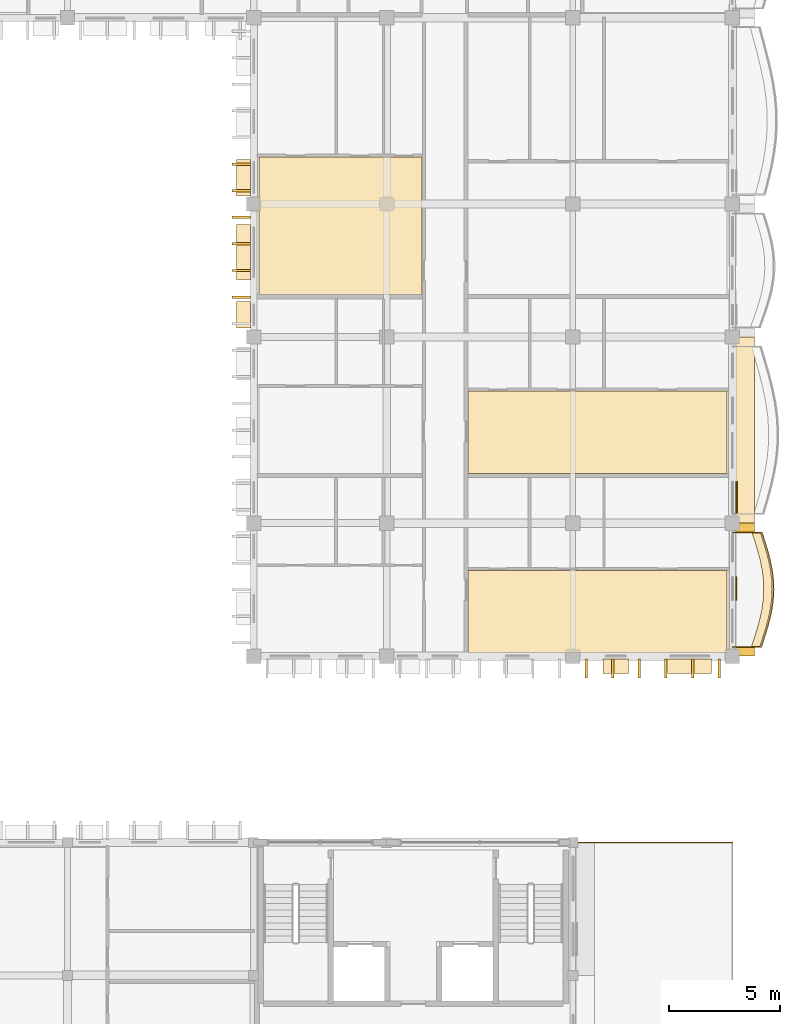
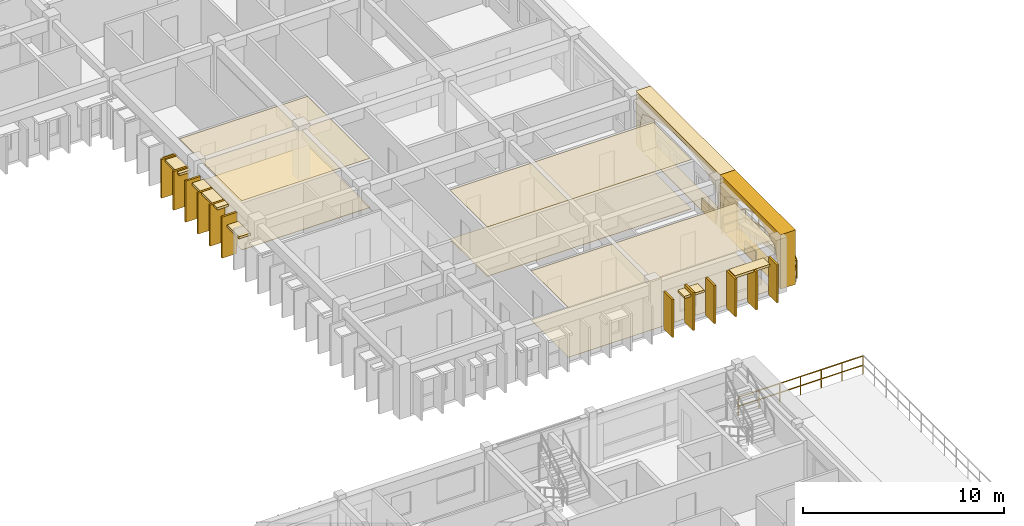
# One storey, part 61 of 66: 28 coverings, 2 railings.
"""IFC4 building model written with IfcOpenShell, lengths in metres."""

import ifcopenshell
import ifcopenshell.guid

model = None  # the IFC model being written
_history = None  # IfcOwnerHistory: only IFC2X3 demands one
_inside = {}  # id of a spatial element -> (the spatial element, [elements in it])
_under = {}  # id of a project, library or spatial element -> (it, [spatial elements below it])
_declared = {}  # id of a project -> (the project, [libraries it declares])
_typed = {}  # id of a type object -> (the type object, [elements of that type])
_made_of = {}  # id of a material, layer set ... -> (it, [elements and type objects made of it])


def new_model(schema):
    """Start an empty IFC model of exactly this schema.

    Asked for "IFC4X3", IfcOpenShell would pick the latest addendum, in which some entities
    have other attributes; the version numbers below select the first issue.
    IFC2X3 requires an IfcOwnerHistory on every rooted entity: one is made here for all.
    """
    global model, _history
    if schema == "IFC4X3":
        model = ifcopenshell.file(schema_version=(4, 3, 0, 0))
    else:
        model = ifcopenshell.file(schema=schema)
    _inside.clear()
    _under.clear()
    _declared.clear()
    _typed.clear()
    _made_of.clear()
    _history = None
    if model.schema == "IFC2X3":
        org = make("IfcOrganization", Name="unknown")
        user = make(
            "IfcPersonAndOrganization",
            ThePerson=make("IfcPerson", FamilyName="unknown"),
            TheOrganization=org,
        )
        app = make(
            "IfcApplication",
            ApplicationDeveloper=org,
            Version="unknown",
            ApplicationFullName="unknown",
            ApplicationIdentifier="unknown",
        )
        _history = make(
            "IfcOwnerHistory",
            OwningUser=user,
            OwningApplication=app,
            ChangeAction="ADDED",
            CreationDate=0,
        )
    return model


def make(cls, **values):
    """One entity of the class cls with the attributes given. An attribute that is None is left unset."""
    return model.create_entity(
        cls, **{name: value for name, value in values.items() if value is not None}
    )


def rooted(cls, **values):
    """An entity with a GlobalId (a new one), such as an element, a storey or a relation."""
    return make(cls, GlobalId=ifcopenshell.guid.new(), OwnerHistory=_history, **values)


def si_unit(unit_type, name, prefix=None):
    """IfcSIUnit, for example si_unit("LENGTHUNIT", "METRE", prefix="MILLI")."""
    return make("IfcSIUnit", UnitType=unit_type, Prefix=prefix, Name=name)


def assignment(units):
    """IfcUnitAssignment: the units of a project."""
    return None if units is None else make("IfcUnitAssignment", Units=units)


def point(xyz):
    """IfcCartesianPoint."""
    return None if xyz is None else make("IfcCartesianPoint", Coordinates=xyz)


def direction(xyz):
    """IfcDirection."""
    return None if xyz is None else make("IfcDirection", DirectionRatios=xyz)


def frame(location, z_axis=None, x_axis=None):
    """IfcAxis2Placement3D, a coordinate frame: its origin and axes. An axis left out is left unset."""
    return make(
        "IfcAxis2Placement3D",
        Location=point(location),
        Axis=direction(z_axis),
        RefDirection=direction(x_axis),
    )


def frame_2d(location, x_axis=None):
    """IfcAxis2Placement2D, a coordinate frame in the plane: its origin and x axis."""
    return make(
        "IfcAxis2Placement2D", Location=point(location), RefDirection=direction(x_axis)
    )


def origin():
    """The frame at (0, 0, 0) with its axes left unset."""
    return frame((0.0, 0.0, 0.0))


def origin_2d():
    """The frame at (0, 0) in the plane with its x axis left unset."""
    return frame_2d((0.0, 0.0))


def place(relative_to, where):
    """IfcLocalPlacement: puts the frame where relative to a parent placement (None: the world)."""
    return make(
        "IfcLocalPlacement", PlacementRelTo=relative_to, RelativePlacement=where
    )


def context(
    kind, dimensions, precision=None, world=None, true_north=None, identifier=None
):
    """IfcGeometricRepresentationContext, for example the 3D "Model" context."""
    return make(
        "IfcGeometricRepresentationContext",
        ContextIdentifier=identifier,
        ContextType=kind,
        CoordinateSpaceDimension=dimensions,
        Precision=precision,
        WorldCoordinateSystem=world,
        TrueNorth=true_north,
    )


def subcontext(parent, identifier, kind, view, scale=None):
    """IfcGeometricRepresentationSubContext, for example "Body" below "Model"."""
    return make(
        "IfcGeometricRepresentationSubContext",
        ContextIdentifier=identifier,
        ContextType=kind,
        ParentContext=parent,
        TargetScale=scale,
        TargetView=view,
    )


def project(units=None, contexts=None):
    """IfcProject with its units and contexts."""
    return rooted(
        "IfcProject",
        Name="project",
        RepresentationContexts=contexts,
        UnitsInContext=assignment(units),
    )


def spatial(cls, under=None, at=None, **own):
    """A site, building, storey or space (cls), placed at a placement, below another one or the project."""
    s = rooted(cls, ObjectPlacement=at, **own)
    if under is not None:
        _under.setdefault(under.id(), (under, []))[1].append(s)
    return s


def polyline(points):
    """IfcPolyline through the points."""
    return make("IfcPolyline", Points=[point(p) for p in points])


def profile(cls, at=None, kind="AREA", **sizes):
    """A parametric profile (cls). Its sizes go by their IFC names, for example OverallWidth=200.0."""
    return make(cls, ProfileType=kind, Position=at, **sizes)


def rectangle(**sizes):
    """IfcRectangleProfileDef."""
    return profile("IfcRectangleProfileDef", **sizes)


def outline(outer, holes=None, kind="AREA"):
    """IfcArbitraryClosedProfileDef: a profile drawn as a closed curve; with holes, ...WithVoids."""
    if holes is None:
        return make("IfcArbitraryClosedProfileDef", ProfileType=kind, OuterCurve=outer)
    return make(
        "IfcArbitraryProfileDefWithVoids",
        ProfileType=kind,
        OuterCurve=outer,
        InnerCurves=holes,
    )


def extrude(swept, where, along, depth):
    """IfcExtrudedAreaSolid: the profile swept, set in the frame where, extruded along a direction by depth."""
    return make(
        "IfcExtrudedAreaSolid",
        SweptArea=swept,
        Position=where,
        ExtrudedDirection=direction(along),
        Depth=depth,
    )


def shape(context_of_items, identifier, shape_type, items):
    """IfcShapeRepresentation: the items that make up one representation, for example the "Body"."""
    return make(
        "IfcShapeRepresentation",
        ContextOfItems=context_of_items,
        RepresentationIdentifier=identifier,
        RepresentationType=shape_type,
        Items=items,
    )


def material(Name=None, Category=None):
    """IfcMaterial."""
    return make("IfcMaterial", Name=Name, Category=Category)


def layer(
    of_material, thickness, ventilated=None, Name=None, Category=None, Priority=None
):
    """IfcMaterialLayer: one layer of a wall or slab, of a material (None: an air gap)."""
    return make(
        "IfcMaterialLayer",
        Material=of_material,
        LayerThickness=thickness,
        IsVentilated=ventilated,
        Name=Name,
        Category=Category,
        Priority=Priority,
    )


def layer_set(layers, Name=None):
    """IfcMaterialLayerSet."""
    return make("IfcMaterialLayerSet", MaterialLayers=layers, LayerSetName=Name)


def made_of(thing, what):
    """Note that an element or type object is made of a material, layer set ...; save() writes the relation."""
    if what is not None:
        _made_of.setdefault(what.id(), (what, []))[1].append(thing)
    return thing


def type_object(cls, material=None, **own):
    """A type object (cls), such as IfcWallType, which elements share."""
    return made_of(rooted(cls, **own), material)


def element(
    cls,
    number,
    at=None,
    inside=None,
    cuts=None,
    type_object=None,
    material=None,
    context=None,
    identifier="Body",
    shape_type=None,
    held_by="IfcProductDefinitionShape",
    body=None,
    shapes=None,
    **own,
):
    """One element of the class cls, such as IfcWall. Its Tag is "e" and its number.

    at: its placement. inside: the storey or other place that contains it. cuts: it is an
    opening in that element (IfcRelVoidsElement). A single representation is given by context,
    identifier, shape_type and body (its items); several are given by shapes. held_by: the class
    of the entity that holds the representations. save() writes the other relations.
    """
    e = rooted(cls, Tag="e%d" % number, ObjectPlacement=at, **own)
    if body is not None:
        shapes = [shape(context, identifier, shape_type, body)]
    if shapes is not None:
        e.Representation = make(held_by, Representations=shapes)
    if inside is not None:
        _inside.setdefault(inside.id(), (inside, []))[1].append(e)
    if cuts is not None:
        rooted(
            "IfcRelVoidsElement", RelatingBuildingElement=cuts, RelatedOpeningElement=e
        )
    if type_object is not None:
        _typed.setdefault(type_object.id(), (type_object, []))[1].append(e)
    return made_of(e, material)


def aggregate(whole, parts):
    """IfcRelAggregates: a whole, such as a stair, and the parts it consists of."""
    return rooted("IfcRelAggregates", RelatingObject=whole, RelatedObjects=parts)


def save(model, path):
    """Write the relations noted so far, then the file.

    IfcRelAggregates (storeys below a building ...), IfcRelContainedInSpatialStructure (elements
    in a storey), IfcRelDefinesByType, IfcRelAssociatesMaterial and IfcRelDeclares: one each for
    every whole, place, type object, material and project.
    """
    for whole, parts in _under.values():
        aggregate(whole, parts)
    for where, things in _inside.values():
        rooted(
            "IfcRelContainedInSpatialStructure",
            RelatedElements=things,
            RelatingStructure=where,
        )
    for kind, things in _typed.values():
        rooted("IfcRelDefinesByType", RelatedObjects=things, RelatingType=kind)
    for what, things in _made_of.values():
        rooted("IfcRelAssociatesMaterial", RelatedObjects=things, RelatingMaterial=what)
    for by, libraries in _declared.values():
        rooted("IfcRelDeclares", RelatingContext=by, RelatedDefinitions=libraries)
    model.write(path)


model = new_model("IFC4")

# Units and contexts
model_context = context("Model", 3, precision=1e-05, world=origin(), true_north=direction((0.0, 1.0)))
body_context = subcontext(model_context, "Body", "Model", "MODEL_VIEW")
ifc_project = project(units=[si_unit("LENGTHUNIT", "METRE"), si_unit("AREAUNIT", "SQUARE_METRE"), si_unit("VOLUMEUNIT", "CUBIC_METRE"), si_unit("PLANEANGLEUNIT", "RADIAN"), si_unit("MASSUNIT", "GRAM", prefix="KILO"), si_unit("THERMODYNAMICTEMPERATUREUNIT", "KELVIN")], contexts=[model_context])

# Site, building, storey
site_placement = place(None, origin())
site = spatial("IfcSite", under=ifc_project, at=site_placement, CompositionType="ELEMENT")
building_placement = place(site_placement, origin())
building = spatial("IfcBuilding", under=site, at=building_placement, Name="Thalorik Housing Commons", CompositionType="ELEMENT")
storey_placement = place(building_placement, frame((0.0, 0.0, 21.300048828125)))
storey = spatial("IfcBuildingStorey", under=building, at=storey_placement, Name="L06", CompositionType="ELEMENT", Elevation=21.300048828125)

# Coverings
ifc_material_1 = material(Name="Cobalt blue glazed ceramic facade tile panel", Category="masonry")
ifc_layer_1 = layer(ifc_material_1, 0.06005859375, Name="Cobalt blue glazed ceramic facade tile panel", Category="masonry")
ifc_layer_set_1 = layer_set([ifc_layer_1], Name="Cobalt blue glazed ceramic facade tile panel")
covering_type_1 = type_object("IfcCoveringType", Name="ARC-CLD-BLU-60", PredefinedType="CLADDING", material=ifc_layer_set_1)
covering_1_placement = place(storey_placement, frame((174.172607421875, 83.45654296875, 0.0498046875), z_axis=(0.0, 0.0, 1.0), x_axis=(0.0, 1.0, 0.0)))
element("IfcCovering", 1, at=covering_1_placement, inside=storey, type_object=covering_type_1, Name="L06 De Stijl Recessed Window Spandrel 2548", PredefinedType="CLADDING", context=body_context, shape_type="SweptSolid", body=[
    extrude(rectangle(XDim=1.050048828125, YDim=0.06005859375, at=origin_2d()), origin(), (0.0, 0.0, 1.0), 0.699951171875),
])
ifc_material_2 = material(Name="Precast concrete C40/50", Category="concrete")
ifc_layer_2 = layer(ifc_material_2, 0.85009765625, Name="Precast concrete C40/50", Category="concrete")
ifc_layer_set_2 = layer_set([ifc_layer_2], Name="Precast concrete C40/50")
covering_type_2 = type_object("IfcCoveringType", Name="ARC-CLD-CUSH-850", PredefinedType="CLADDING", material=ifc_layer_set_2)
covering_2_placement = place(storey_placement, frame((174.5625, 83.39990234375, 0.0), z_axis=(0.0, 0.0, 1.0), x_axis=(0.0, 1.0, 0.0)))
element("IfcCovering", 2, at=covering_2_placement, inside=storey, type_object=covering_type_2, Name="L06 White Precast Curved Cushion Bay Frame 2547", PredefinedType="CLADDING", context=body_context, shape_type="SweptSolid", body=[
    extrude(outline(polyline([(-3.0, 0.0), (3.0, 0.0), (3.0, 3.300048828125), (-3.0, 3.300048828125), (-3.0, 0.0)]), holes=[polyline([(2.551513671875, 0.02490234375), (2.646240234375, 0.394287109375), (2.703125, 0.76318359375), (2.721923828125, 1.132568359375), (2.703125, 1.501708984375), (2.646240234375, 1.870849609375), (2.551513671875, 2.239990234375), (2.136474609375, 2.4833984375), (1.72119140625, 2.6748046875), (1.30615234375, 2.82958984375), (0.89111328125, 2.94482421875), (0.475830078125, 3.01611328125), (0.060791015625, 3.0400390625), (-0.354248046875, 3.01611328125), (-0.76953125, 2.94482421875), (-1.1845703125, 2.82958984375), (-1.599609375, 2.6748046875), (-2.014892578125, 2.4833984375), (-2.429931640625, 2.239990234375), (-2.55029296875, 1.870849609375), (-2.62255859375, 1.501708984375), (-2.646484375, 1.132568359375), (-2.62255859375, 0.76318359375), (-2.55029296875, 0.394287109375), (-2.429931640625, 0.02490234375), (2.551513671875, 0.02490234375)])]), frame((0.0, 0.425048828125, 0.0), z_axis=(0.0, -1.0, 0.0), x_axis=(1.0, 0.0, 0.0)), (0.0, 0.0, 1.0), 0.85009765625),
])
covering_3_placement = place(storey_placement, frame((174.5625, 90.60009765625, 0.0), z_axis=(0.0, 0.0, 1.0), x_axis=(0.0, 1.0, 0.0)))
element("IfcCovering", 3, at=covering_3_placement, inside=storey, type_object=covering_type_2, Name="L06 White Precast Curved Cushion Bay Frame 2549", PredefinedType="CLADDING", context=body_context, shape_type="SweptSolid", body=[
    extrude(outline(polyline([(-4.199951171875, 0.0), (4.199951171875, 0.0), (4.199951171875, 3.300048828125), (-4.199951171875, 3.300048828125), (-4.199951171875, 0.0)]), holes=[polyline([(3.519287109375, 0.02490234375), (3.662841796875, 0.404296875), (3.749267578125, 0.783203125), (3.77783203125, 1.16259765625), (3.749267578125, 1.541748046875), (3.662841796875, 1.9208984375), (3.519287109375, 2.300048828125), (2.911865234375, 2.525390625), (2.30419921875, 2.7021484375), (1.697021484375, 2.845458984375), (1.089599609375, 2.951904296875), (0.48193359375, 3.017822265625), (-0.12548828125, 3.0400390625), (-0.73291015625, 3.017822265625), (-1.34033203125, 2.951904296875), (-1.94775390625, 2.845458984375), (-2.55517578125, 2.7021484375), (-3.16259765625, 2.525390625), (-3.77001953125, 2.300048828125), (-3.86083984375, 1.9208984375), (-3.915283203125, 1.541748046875), (-3.933349609375, 1.16259765625), (-3.915283203125, 0.783203125), (-3.86083984375, 0.404296875), (-3.77001953125, 0.02490234375), (3.519287109375, 0.02490234375)])]), frame((0.0, 0.425048828125, 0.0), z_axis=(0.0, -1.0, 0.0), x_axis=(1.0, 0.0, 0.0)), (0.0, 0.0, 1.0), 0.85009765625),
])
ifc_layer_3 = layer(ifc_material_2, 0.85009765625, Name="Precast concrete C40/50", Category="concrete")
ifc_layer_set_3 = layer_set([ifc_layer_3], Name="Precast concrete C40/50")
covering_type_3 = type_object("IfcCoveringType", Name="ARC-CLD-FIN-850", PredefinedType="CLADDING", material=ifc_layer_set_3)
for number, where, z_axis, x_axis, name in (
    (4, (151.83740234375, 102.60009765625, 0.0400390625), (0.0, 0.0, 1.0), (0.0, -1.0, 0.0), "L06 Courtyard Precast Vertical Brise-Soleil Fin 2493"),
    (5, (151.83740234375, 101.39990234375, 0.0400390625), (0.0, 0.0, 1.0), (0.0, -1.0, 0.0), "L06 Courtyard Precast Vertical Brise-Soleil Fin 2494"),
):
    element("IfcCovering", number, at=place(storey_placement, frame(where, z_axis=z_axis, x_axis=x_axis)), inside=storey, type_object=covering_type_3, Name=name, PredefinedType="CLADDING", context=body_context, shape_type="SweptSolid", body=[
        extrude(rectangle(XDim=0.110107421875, YDim=0.85009765625, at=origin_2d()), origin(), (0.0, 0.0, 1.0), 2.344970703125),
    ])
for number, where, z_axis, x_axis, name in (
    (6, (151.83740234375, 100.199951171875, 0.039794921875), (0.0, 0.0, 1.0), (0.0, -1.0, 0.0), "L06 Courtyard Precast Vertical Brise-Soleil Fin 2498"),
    (7, (151.83740234375, 99.0, 0.039794921875), (0.0, 0.0, 1.0), (0.0, -1.0, 0.0), "L06 Courtyard Precast Vertical Brise-Soleil Fin 2499"),
    (8, (151.83740234375, 97.800048828125, 0.039794921875), (0.0, 0.0, 1.0), (0.0, -1.0, 0.0), "L06 Courtyard Precast Vertical Brise-Soleil Fin 2500"),
    (9, (151.83740234375, 96.60009765625, 0.039794921875), (0.0, 0.0, 1.0), (0.0, -1.0, 0.0), "L06 Courtyard Precast Vertical Brise-Soleil Fin 2501"),
):
    element("IfcCovering", number, at=place(storey_placement, frame(where, z_axis=z_axis, x_axis=x_axis)), inside=storey, type_object=covering_type_3, Name=name, PredefinedType="CLADDING", context=body_context, shape_type="SweptSolid", body=[
        extrude(rectangle(XDim=0.110107421875, YDim=0.85009765625, at=origin_2d()), origin(), (0.0, 0.0, 1.0), 2.4951171875),
    ])
for number, where, z_axis, x_axis, name in (
    (10, (167.39990234375, 79.83740234375, 0.0400390625), (0.0, 0.0, 1.0), (1.0, 0.0, 0.0), "L06 Courtyard Precast Vertical Brise-Soleil Fin 2539"),
    (11, (168.60009765625, 79.83740234375, 0.0400390625), (0.0, 0.0, 1.0), (1.0, 0.0, 0.0), "L06 Courtyard Precast Vertical Brise-Soleil Fin 2540"),
    (12, (169.800048828125, 79.83740234375, 0.0400390625), (0.0, 0.0, 1.0), (1.0, 0.0, 0.0), "L06 Courtyard Precast Vertical Brise-Soleil Fin 2541"),
    (13, (171.0, 79.83740234375, 0.0400390625), (0.0, 0.0, 1.0), (1.0, 0.0, 0.0), "L06 Courtyard Precast Vertical Brise-Soleil Fin 2542"),
    (14, (172.199951171875, 79.83740234375, 0.0400390625), (0.0, 0.0, 1.0), (1.0, 0.0, 0.0), "L06 Courtyard Precast Vertical Brise-Soleil Fin 2543"),
    (15, (173.39990234375, 79.83740234375, 0.0400390625), (0.0, 0.0, 1.0), (1.0, 0.0, 0.0), "L06 Courtyard Precast Vertical Brise-Soleil Fin 2544"),
):
    element("IfcCovering", number, at=place(storey_placement, frame(where, z_axis=z_axis, x_axis=x_axis)), inside=storey, type_object=covering_type_3, Name=name, PredefinedType="CLADDING", context=body_context, shape_type="SweptSolid", body=[
        extrude(rectangle(XDim=0.110107421875, YDim=0.85009765625, at=origin_2d()), origin(), (0.0, 0.0, 1.0), 2.294921875),
    ])
ifc_layer_4 = layer(ifc_material_2, 0.64990234375, Name="Precast concrete C40/50", Category="concrete")
ifc_layer_set_4 = layer_set([ifc_layer_4], Name="Precast concrete C40/50")
covering_type_4 = type_object("IfcCoveringType", Name="ARC-CLD-HOOD-650", PredefinedType="CLADDING", material=ifc_layer_set_4)
covering_4_placement = place(storey_placement, frame((151.9375, 101.987548828125, 2.169921875), z_axis=(0.0, 0.0, 1.0), x_axis=(0.0, -1.0, 0.0)))
element("IfcCovering", 16, at=covering_4_placement, inside=storey, type_object=covering_type_4, Name="L06 Courtyard Precast Window Sun-Hood 2497", PredefinedType="CLADDING", context=body_context, shape_type="SweptSolid", body=[
    extrude(rectangle(XDim=1.659912109375, YDim=0.64990234375, at=origin_2d()), origin(), (0.0, 0.0, 1.0), 0.139892578125),
])
covering_5_placement = place(storey_placement, frame((151.9375, 98.6201171875, 2.39013671875), z_axis=(0.0, 0.0, 1.0), x_axis=(0.0, -1.0, 0.0)))
element("IfcCovering", 17, at=covering_5_placement, inside=storey, type_object=covering_type_4, Name="L06 Courtyard Precast Window Sun-Hood 2503", PredefinedType="CLADDING", context=body_context, shape_type="SweptSolid", body=[
    extrude(rectangle(XDim=2.489990234375, YDim=0.64990234375, at=origin_2d()), origin(), (0.0, 0.0, 1.0), 0.139892578125),
])
covering_6_placement = place(storey_placement, frame((151.9375, 95.81005859375, 1.93994140625), z_axis=(0.0, 0.0, 1.0), x_axis=(0.0, -1.0, 0.0)))
element("IfcCovering", 18, at=covering_6_placement, inside=storey, type_object=covering_type_4, Name="L06 Courtyard Precast Window Sun-Hood 2504", PredefinedType="CLADDING", context=body_context, shape_type="SweptSolid", body=[
    extrude(rectangle(XDim=1.18994140625, YDim=0.64990234375, at=origin_2d()), origin(), (0.0, 0.0, 1.0), 0.139892578125),
])
covering_7_placement = place(storey_placement, frame((168.72998046875, 79.9375, 1.990234375), z_axis=(0.0, 0.0, 1.0), x_axis=(1.0, 0.0, 0.0)))
element("IfcCovering", 19, at=covering_7_placement, inside=storey, type_object=covering_type_4, Name="L06 Courtyard Precast Window Sun-Hood 2545", PredefinedType="CLADDING", context=body_context, shape_type="SweptSolid", body=[
    extrude(rectangle(XDim=1.139892578125, YDim=0.64990234375, at=origin_2d()), origin(), (0.0, 0.0, 1.0), 0.139892578125),
])
covering_8_placement = place(storey_placement, frame((172.070068359375, 79.9375, 2.22509765625), z_axis=(0.0, 0.0, 1.0), x_axis=(1.0, 0.0, 0.0)))
element("IfcCovering", 20, at=covering_8_placement, inside=storey, type_object=covering_type_4, Name="L06 Courtyard Precast Window Sun-Hood 2546", PredefinedType="CLADDING", context=body_context, shape_type="SweptSolid", body=[
    extrude(rectangle(XDim=1.989990234375, YDim=0.64990234375, at=origin_2d()), origin(), (0.0, 0.0, 1.0), 0.139892578125),
])
ifc_material_3 = material(Name="Mineral ochre architectural terracotta panel", Category="masonry")
ifc_layer_5 = layer(ifc_material_3, 0.06494140625, Name="Mineral ochre architectural terracotta panel", Category="masonry")
ifc_layer_set_5 = layer_set([ifc_layer_5], Name="Mineral ochre architectural terracotta panel")
covering_type_5 = type_object("IfcCoveringType", Name="ARC-CLD-YEL-65", PredefinedType="CLADDING", material=ifc_layer_set_5)
covering_9_placement = place(storey_placement, frame((174.175048828125, 87.570068359375, 0.0498046875), z_axis=(0.0, 0.0, 1.0), x_axis=(0.0, 1.0, 0.0)))
element("IfcCovering", 21, at=covering_9_placement, inside=storey, type_object=covering_type_5, Name="L06 De Stijl Recessed Window Spandrel 2550", PredefinedType="CLADDING", context=body_context, shape_type="SweptSolid", body=[
    extrude(rectangle(XDim=1.3798828125, YDim=0.06494140625, at=origin_2d()), origin(), (0.0, 0.0, 1.0), 0.699951171875),
])
ifc_material_4 = material(Name="Mineral fibre acoustic ceiling tile")
ifc_layer_6 = layer(ifc_material_4, 0.01806640625, Name="Mineral fibre acoustic ceiling tile")
ifc_layer_set_6 = layer_set([ifc_layer_6], Name="Mineral fibre acoustic ceiling tile")
covering_type_6 = type_object("IfcCoveringType", Name="ARC-COV-CEIL-02", PredefinedType="CEILING", material=ifc_layer_set_6)
covering_10_placement = place(storey_placement, frame((0.0, 0.0, 2.98193359375)))
element("IfcCovering", 22, at=covering_10_placement, inside=storey, type_object=covering_type_6, Name="L06 Family Lounge Suspended Ceiling", PredefinedType="CEILING", context=body_context, shape_type="SweptSolid", body=[
    extrude(outline(polyline([(173.760009765625, 84.273193359375), (162.06005859375, 84.273193359375), (162.06005859375, 80.5400390625), (173.760009765625, 80.5400390625), (173.760009765625, 84.273193359375)])), origin(), (0.0, 0.0, 1.0), 0.01806640625),
])
ifc_material_5 = material(Name="Moisture-resistant gypsum bathroom ceiling")
ifc_layer_7 = layer(ifc_material_5, 0.02490234375, Name="Moisture-resistant gypsum bathroom ceiling")
ifc_layer_set_7 = layer_set([ifc_layer_7], Name="Moisture-resistant gypsum bathroom ceiling")
covering_type_7 = type_object("IfcCoveringType", Name="ARC-COV-CEIL-04", PredefinedType="CEILING", material=ifc_layer_set_7)
covering_11_placement = place(storey_placement, frame((0.0, 0.0, 2.974853515625)))
element("IfcCovering", 23, at=covering_11_placement, inside=storey, type_object=covering_type_7, Name="L06 Living Dining Room Suspended Ceiling", PredefinedType="CEILING", context=body_context, shape_type="SweptSolid", body=[
    extrude(outline(polyline([(173.760009765625, 92.3583984375), (162.06005859375, 92.3583984375), (162.06005859375, 88.6298828125), (173.760009765625, 88.6298828125), (173.760009765625, 92.3583984375)])), origin(), (0.0, 0.0, 1.0), 0.025146484375),
])
ifc_material_6 = material(Name="Fire-rated calcium silicate corridor ceiling")
ifc_layer_8 = layer(ifc_material_6, 0.030029296875, Name="Fire-rated calcium silicate corridor ceiling")
ifc_layer_set_8 = layer_set([ifc_layer_8], Name="Fire-rated calcium silicate corridor ceiling")
covering_type_8 = type_object("IfcCoveringType", Name="ARC-COV-CEIL-05", PredefinedType="CEILING", material=ifc_layer_set_8)
covering_12_placement = place(storey_placement, frame((0.0, 0.0, 2.969970703125)))
element("IfcCovering", 24, at=covering_12_placement, inside=storey, type_object=covering_type_8, Name="L06 Family Lounge Suspended Ceiling", PredefinedType="CEILING", context=body_context, shape_type="SweptSolid", body=[
    extrude(outline(polyline([(160.0, 102.9150390625), (152.639892578125, 102.9150390625), (152.639892578125, 96.7099609375), (160.0, 96.7099609375), (160.0, 102.9150390625)])), origin(), (0.0, 0.0, 1.0), 0.030029296875),
])
ifc_material_7 = material(Name="Slip-resistant quarry terracotta corridor tile", Category="masonry")
ifc_layer_9 = layer(ifc_material_7, 0.01611328125, Name="Slip-resistant quarry terracotta corridor tile", Category="masonry")
ifc_layer_set_9 = layer_set([ifc_layer_9], Name="Slip-resistant quarry terracotta corridor tile")
covering_type_9 = type_object("IfcCoveringType", Name="ARC-COV-FLR-02", PredefinedType="FLOORING", material=ifc_layer_set_9)
covering_13_placement = place(storey_placement, origin())
element("IfcCovering", 25, at=covering_13_placement, inside=storey, type_object=covering_type_9, Name="L06 Family Lounge Flooring", PredefinedType="FLOORING", context=body_context, shape_type="SweptSolid", body=[
    extrude(outline(polyline([(173.760009765625, 84.273193359375), (162.06005859375, 84.273193359375), (162.06005859375, 80.5400390625), (173.760009765625, 80.5400390625), (173.760009765625, 84.273193359375)])), origin(), (0.0, 0.0, 1.0), 0.015869140625),
])
ifc_material_8 = material(Name="Sprung Brazilian oak assembly hall timber floor", Category="wood")
ifc_layer_10 = layer(ifc_material_8, 0.02392578125, Name="Sprung Brazilian oak assembly hall timber floor", Category="wood")
ifc_layer_set_10 = layer_set([ifc_layer_10], Name="Sprung Brazilian oak assembly hall timber floor")
covering_type_10 = type_object("IfcCoveringType", Name="ARC-COV-FLR-04", PredefinedType="FLOORING", material=ifc_layer_set_10)
covering_14_placement = place(storey_placement, origin())
element("IfcCovering", 26, at=covering_14_placement, inside=storey, type_object=covering_type_10, Name="L06 Living Dining Room Flooring", PredefinedType="FLOORING", context=body_context, shape_type="SweptSolid", body=[
    extrude(outline(polyline([(173.760009765625, 92.3583984375), (162.06005859375, 92.3583984375), (162.06005859375, 88.6298828125), (173.760009765625, 88.6298828125), (173.760009765625, 92.3583984375)])), origin(), (0.0, 0.0, 1.0), 0.02392578125),
])
ifc_material_9 = material(Name="Heavy-duty porcelain metro vestibule tile")
ifc_layer_11 = layer(ifc_material_9, 0.028076171875, Name="Heavy-duty porcelain metro vestibule tile")
ifc_layer_set_11 = layer_set([ifc_layer_11], Name="Heavy-duty porcelain metro vestibule tile")
covering_type_11 = type_object("IfcCoveringType", Name="ARC-COV-FLR-05", PredefinedType="FLOORING", material=ifc_layer_set_11)
covering_15_placement = place(storey_placement, origin())
element("IfcCovering", 27, at=covering_15_placement, inside=storey, type_object=covering_type_11, Name="L06 Family Lounge Flooring", PredefinedType="FLOORING", context=body_context, shape_type="SweptSolid", body=[
    extrude(outline(polyline([(160.0, 102.9150390625), (152.639892578125, 102.9150390625), (152.639892578125, 96.7099609375), (160.0, 96.7099609375), (160.0, 102.9150390625)])), origin(), (0.0, 0.0, 1.0), 0.02783203125),
])
ifc_material_10 = material(Name="Planted vegetated substrate and terracotta trough", Category="masonry")
ifc_layer_12 = layer(ifc_material_10, 0.340087890625, Name="Planted vegetated substrate and terracotta trough", Category="masonry")
ifc_layer_set_12 = layer_set([ifc_layer_12], Name="Planted vegetated substrate and terracotta trough")
covering_type_12 = type_object("IfcCoveringType", Name="ARC-COV-PLANTER", PredefinedType="USERDEFINED", material=ifc_layer_set_12)
covering_16_placement = place(storey_placement, origin())
element("IfcCovering", 28, at=covering_16_placement, inside=storey, type_object=covering_type_12, Name="L06 Balcony Slab-Edge Planted Trough 5498", ObjectType="PLANTER", PredefinedType="USERDEFINED", context=body_context, shape_type="SweptSolid", body=[
    extrude(outline(polyline([(175.234130859375, 80.820068359375), (175.375, 81.25), (175.508056640625, 81.679931640625), (175.623779296875, 82.110107421875), (175.71337890625, 82.5400390625), (175.771240234375, 82.969970703125), (175.79296875, 83.39990234375), (175.777099609375, 83.830078125), (175.724853515625, 84.260009765625), (175.640380859375, 84.68994140625), (175.529296875, 85.1201171875), (175.400146484375, 85.550048828125), (175.26220703125, 85.97998046875), (174.882080078125, 85.97998046875), (175.020263671875, 85.550048828125), (175.1494140625, 85.1201171875), (175.26025390625, 84.68994140625), (175.344970703125, 84.260009765625), (175.397216796875, 83.830078125), (175.4130859375, 83.39990234375), (175.391357421875, 82.969970703125), (175.33349609375, 82.5400390625), (175.24365234375, 82.110107421875), (175.128173828125, 81.679931640625), (174.9951171875, 81.25), (174.854248046875, 80.820068359375), (175.234130859375, 80.820068359375)])), origin(), (0.0, 0.0, 1.0), 0.33984375),
])

# Railings
ifc_material_11 = material(Name="Steel S355", Category="steel")
railing_type_1 = type_object("IfcRailingType", Name="ARC-RL-BAL-112", PredefinedType="BALUSTRADE", material=ifc_material_11)
railing_1_placement = place(storey_placement, frame((174.0, 80.820068359375, 0.0)))
element("IfcRailing", 29, at=railing_1_placement, inside=storey, type_object=railing_type_1, Name="L06 Cushion Balcony Guardrail 182", PredefinedType="BALUSTRADE", context=body_context, shape_type="SweptSolid", body=[
    extrude(rectangle(XDim=0.050048828125, YDim=0.050048828125, at=origin_2d()), frame((0.0, 0.0, 1.09521484375), z_axis=(1.0, 0.0, 0.0), x_axis=(0.0, 1.0, 0.0)), (0.0, 0.0, 1.0), 1.30419921875),
    extrude(rectangle(XDim=0.050048828125, YDim=0.050048828125, at=origin_2d()), frame((0.0, 0.0, 0.53515625), z_axis=(1.0, 0.0, 0.0), x_axis=(0.0, 1.0, 0.0)), (0.0, 0.0, 1.0), 1.30419921875),
    extrude(rectangle(XDim=0.050048828125, YDim=0.050048828125, at=origin_2d()), frame((1.30419921875, 0.0, 1.09521484375), z_axis=(0.311366945332, 0.950289758629, 0.0), x_axis=(-0.950289758629, 0.311366945332, 0.0)), (0.0, 0.0, 1.0), 0.452392578125),
    extrude(rectangle(XDim=0.050048828125, YDim=0.050048828125, at=origin_2d()), frame((1.30419921875, 0.0, 0.53515625), z_axis=(0.311366945332, 0.950289758629, 0.0), x_axis=(-0.950289758629, 0.311366945332, 0.0)), (0.0, 0.0, 1.0), 0.452392578125),
    extrude(rectangle(XDim=0.050048828125, YDim=0.050048828125, at=origin_2d()), frame((1.445068359375, 0.429931640625, 1.09521484375), z_axis=(0.295648367427, 0.955296834935, 0.0), x_axis=(-0.955296834935, 0.295648367427, 0.0)), (0.0, 0.0, 1.0), 0.449951171875),
    extrude(rectangle(XDim=0.050048828125, YDim=0.050048828125, at=origin_2d()), frame((1.445068359375, 0.429931640625, 0.53515625), z_axis=(0.295648367427, 0.955296834935, 0.0), x_axis=(-0.955296834935, 0.295648367427, 0.0)), (0.0, 0.0, 1.0), 0.449951171875),
    extrude(rectangle(XDim=0.050048828125, YDim=0.050048828125, at=origin_2d()), frame((1.578125, 0.85986328125, 1.09521484375), z_axis=(0.259265748199, 0.965806021834, 0.0), x_axis=(-0.965806021834, 0.259265748199, 0.0)), (0.0, 0.0, 1.0), 0.4453125),
    extrude(rectangle(XDim=0.050048828125, YDim=0.050048828125, at=origin_2d()), frame((1.578125, 0.85986328125, 0.53515625), z_axis=(0.259265748199, 0.965806021834, 0.0), x_axis=(-0.965806021834, 0.259265748199, 0.0)), (0.0, 0.0, 1.0), 0.4453125),
    extrude(rectangle(XDim=0.050048828125, YDim=0.050048828125, at=origin_2d()), frame((1.693603515625, 1.2900390625, 1.09521484375), z_axis=(0.204553537188, 0.978855377686, 0.0), x_axis=(-0.978855377686, 0.204553537188, 0.0)), (0.0, 0.0, 1.0), 0.439208984375),
    extrude(rectangle(XDim=0.050048828125, YDim=0.050048828125, at=origin_2d()), frame((1.693603515625, 1.2900390625, 0.53515625), z_axis=(0.204553537188, 0.978855377686, 0.0), x_axis=(-0.978855377686, 0.204553537188, 0.0)), (0.0, 0.0, 1.0), 0.439208984375),
    extrude(rectangle(XDim=0.050048828125, YDim=0.050048828125, at=origin_2d()), frame((1.783447265625, 1.719970703125, 1.09521484375), z_axis=(0.133380121586, 0.99106495406, 0.0), x_axis=(-0.99106495406, 0.133380121586, 0.0)), (0.0, 0.0, 1.0), 0.433837890625),
    extrude(rectangle(XDim=0.050048828125, YDim=0.050048828125, at=origin_2d()), frame((1.783447265625, 1.719970703125, 0.53515625), z_axis=(0.133380121586, 0.99106495406, 0.0), x_axis=(-0.99106495406, 0.133380121586, 0.0)), (0.0, 0.0, 1.0), 0.433837890625),
    extrude(rectangle(XDim=0.050048828125, YDim=0.050048828125, at=origin_2d()), frame((1.84130859375, 2.14990234375, 1.09521484375), z_axis=(0.050475044693, 0.99872532253, 0.0), x_axis=(-0.99872532253, 0.050475044693, 0.0)), (0.0, 0.0, 1.0), 0.430419921875),
    extrude(rectangle(XDim=0.050048828125, YDim=0.050048828125, at=origin_2d()), frame((1.84130859375, 2.14990234375, 0.53515625), z_axis=(0.050475044693, 0.99872532253, 0.0), x_axis=(-0.99872532253, 0.050475044693, 0.0)), (0.0, 0.0, 1.0), 0.430419921875),
    extrude(rectangle(XDim=0.050048828125, YDim=0.050048828125, at=origin_2d()), frame((1.863037109375, 2.579833984375, 1.09521484375), z_axis=(-0.036864822356, 0.999320261414, 0.0), x_axis=(-0.999320261414, -0.036864822356, 0.0)), (0.0, 0.0, 1.0), 0.430419921875),
    extrude(rectangle(XDim=0.050048828125, YDim=0.050048828125, at=origin_2d()), frame((1.863037109375, 2.579833984375, 0.53515625), z_axis=(-0.036864822356, 0.999320261414, 0.0), x_axis=(-0.999320261414, -0.036864822356, 0.0)), (0.0, 0.0, 1.0), 0.430419921875),
    extrude(rectangle(XDim=0.050048828125, YDim=0.050048828125, at=origin_2d()), frame((1.84716796875, 3.010009765625, 1.09521484375), z_axis=(-0.12063438905, 0.992697005223, 0.0), x_axis=(-0.992697005223, -0.12063438905, 0.0)), (0.0, 0.0, 1.0), 0.43310546875),
    extrude(rectangle(XDim=0.050048828125, YDim=0.050048828125, at=origin_2d()), frame((1.84716796875, 3.010009765625, 0.53515625), z_axis=(-0.12063438905, 0.992697005223, 0.0), x_axis=(-0.992697005223, -0.12063438905, 0.0)), (0.0, 0.0, 1.0), 0.43310546875),
    extrude(rectangle(XDim=0.050048828125, YDim=0.050048828125, at=origin_2d()), frame((1.794921875, 3.43994140625, 1.09521484375), z_axis=(-0.193329614425, 0.98113386456, 0.0), x_axis=(-0.98113386456, -0.193329614425, 0.0)), (0.0, 0.0, 1.0), 0.438232421875),
    extrude(rectangle(XDim=0.050048828125, YDim=0.050048828125, at=origin_2d()), frame((1.794921875, 3.43994140625, 0.53515625), z_axis=(-0.193329614425, 0.98113386456, 0.0), x_axis=(-0.98113386456, -0.193329614425, 0.0)), (0.0, 0.0, 1.0), 0.438232421875),
    extrude(rectangle(XDim=0.050048828125, YDim=0.050048828125, at=origin_2d()), frame((1.710205078125, 3.869873046875, 1.09521484375), z_axis=(-0.249512325032, 0.968371622703, 0.0), x_axis=(-0.968371622703, -0.249512325032, 0.0)), (0.0, 0.0, 1.0), 0.4443359375),
    extrude(rectangle(XDim=0.050048828125, YDim=0.050048828125, at=origin_2d()), frame((1.710205078125, 3.869873046875, 0.53515625), z_axis=(-0.249512325032, 0.968371622703, 0.0), x_axis=(-0.968371622703, -0.249512325032, 0.0)), (0.0, 0.0, 1.0), 0.4443359375),
    extrude(rectangle(XDim=0.050048828125, YDim=0.050048828125, at=origin_2d()), frame((1.599365234375, 4.300048828125, 1.09521484375), z_axis=(-0.287697128512, 0.957721442929, 0.0), x_axis=(-0.957721442929, -0.287697128512, 0.0)), (0.0, 0.0, 1.0), 0.448974609375),
    extrude(rectangle(XDim=0.050048828125, YDim=0.050048828125, at=origin_2d()), frame((1.599365234375, 4.300048828125, 0.53515625), z_axis=(-0.287697128512, 0.957721442929, 0.0), x_axis=(-0.957721442929, -0.287697128512, 0.0)), (0.0, 0.0, 1.0), 0.448974609375),
    extrude(rectangle(XDim=0.050048828125, YDim=0.050048828125, at=origin_2d()), frame((1.47021484375, 4.72998046875, 1.09521484375), z_axis=(-0.305501556453, 0.95219157684, 0.0), x_axis=(-0.95219157684, -0.305501556453, 0.0)), (0.0, 0.0, 1.0), 0.451416015625),
    extrude(rectangle(XDim=0.050048828125, YDim=0.050048828125, at=origin_2d()), frame((1.47021484375, 4.72998046875, 0.53515625), z_axis=(-0.305501556453, 0.95219157684, 0.0), x_axis=(-0.95219157684, -0.305501556453, 0.0)), (0.0, 0.0, 1.0), 0.451416015625),
    extrude(rectangle(XDim=0.050048828125, YDim=0.050048828125, at=origin_2d()), frame((1.332275390625, 5.159912109375, 1.09521484375), z_axis=(-1.0, 0.0, 0.0), x_axis=(0.0, -1.0, 0.0)), (0.0, 0.0, 1.0), 1.332275390625),
    extrude(rectangle(XDim=0.050048828125, YDim=0.050048828125, at=origin_2d()), frame((1.332275390625, 5.159912109375, 0.53515625), z_axis=(-1.0, 0.0, 0.0), x_axis=(0.0, -1.0, 0.0)), (0.0, 0.0, 1.0), 1.332275390625),
    extrude(rectangle(XDim=0.0419921875, YDim=0.0419921875, at=origin_2d()), origin(), (0.0, 0.0, 1.0), 1.070068359375),
    extrude(rectangle(XDim=0.0419921875, YDim=0.0419921875, at=origin_2d()), frame((1.30419921875, 0.0, 0.0)), (0.0, 0.0, 1.0), 1.070068359375),
    extrude(rectangle(XDim=0.0419921875, YDim=0.0419921875, at=origin_2d()), frame((1.445068359375, 0.429931640625, 0.0)), (0.0, 0.0, 1.0), 1.070068359375),
    extrude(rectangle(XDim=0.0419921875, YDim=0.0419921875, at=origin_2d()), frame((1.578125, 0.85986328125, 0.0)), (0.0, 0.0, 1.0), 1.070068359375),
    extrude(rectangle(XDim=0.0419921875, YDim=0.0419921875, at=origin_2d()), frame((1.693603515625, 1.2900390625, 0.0)), (0.0, 0.0, 1.0), 1.070068359375),
    extrude(rectangle(XDim=0.0419921875, YDim=0.0419921875, at=origin_2d()), frame((1.783447265625, 1.719970703125, 0.0)), (0.0, 0.0, 1.0), 1.070068359375),
    extrude(rectangle(XDim=0.0419921875, YDim=0.0419921875, at=origin_2d()), frame((1.84130859375, 2.14990234375, 0.0)), (0.0, 0.0, 1.0), 1.070068359375),
    extrude(rectangle(XDim=0.0419921875, YDim=0.0419921875, at=origin_2d()), frame((1.863037109375, 2.579833984375, 0.0)), (0.0, 0.0, 1.0), 1.070068359375),
    extrude(rectangle(XDim=0.0419921875, YDim=0.0419921875, at=origin_2d()), frame((1.84716796875, 3.010009765625, 0.0)), (0.0, 0.0, 1.0), 1.070068359375),
    extrude(rectangle(XDim=0.0419921875, YDim=0.0419921875, at=origin_2d()), frame((1.794921875, 3.43994140625, 0.0)), (0.0, 0.0, 1.0), 1.070068359375),
    extrude(rectangle(XDim=0.0419921875, YDim=0.0419921875, at=origin_2d()), frame((1.710205078125, 3.869873046875, 0.0)), (0.0, 0.0, 1.0), 1.070068359375),
    extrude(rectangle(XDim=0.0419921875, YDim=0.0419921875, at=origin_2d()), frame((1.599365234375, 4.300048828125, 0.0)), (0.0, 0.0, 1.0), 1.070068359375),
    extrude(rectangle(XDim=0.0419921875, YDim=0.0419921875, at=origin_2d()), frame((1.47021484375, 4.72998046875, 0.0)), (0.0, 0.0, 1.0), 1.070068359375),
    extrude(rectangle(XDim=0.0419921875, YDim=0.0419921875, at=origin_2d()), frame((1.332275390625, 5.159912109375, 0.0)), (0.0, 0.0, 1.0), 1.070068359375),
    extrude(rectangle(XDim=0.0419921875, YDim=0.0419921875, at=origin_2d()), frame((0.0, 5.159912109375, 0.0)), (0.0, 0.0, 1.0), 1.070068359375),
])
railing_type_2 = type_object("IfcRailingType", Name="ARC-RL-TER-112", PredefinedType="GUARDRAIL", material=ifc_material_11)
railing_2_placement = place(storey_placement, frame((174.0, 72.0, 0.0)))
element("IfcRailing", 30, at=railing_2_placement, inside=storey, type_object=railing_type_2, Name="L06 L06 East Roof Terrace Edge Guardrail", PredefinedType="GUARDRAIL", context=body_context, shape_type="SweptSolid", body=[
    extrude(rectangle(XDim=0.048095703125, YDim=0.048095703125, at=origin_2d()), frame((0.0, 0.0, 1.09619140625), z_axis=(-1.0, 0.0, 0.0), x_axis=(0.0, -1.0, 0.0)), (0.0, 0.0, 1.0), 7.14990234375),
    extrude(rectangle(XDim=0.048095703125, YDim=0.048095703125, at=origin_2d()), frame((0.0, 0.0, 0.5361328125), z_axis=(-1.0, 0.0, 0.0), x_axis=(0.0, -1.0, 0.0)), (0.0, 0.0, 1.0), 7.14990234375),
    extrude(rectangle(XDim=0.0419921875, YDim=0.0419921875, at=origin_2d()), origin(), (0.0, 0.0, 1.0), 1.072021484375),
    extrude(rectangle(XDim=0.0419921875, YDim=0.0419921875, at=origin_2d()), frame((-1.191650390625, 0.0, 0.0)), (0.0, 0.0, 1.0), 1.072021484375),
    extrude(rectangle(XDim=0.0419921875, YDim=0.0419921875, at=origin_2d()), frame((-2.38330078125, 0.0, 0.0)), (0.0, 0.0, 1.0), 1.072021484375),
    extrude(rectangle(XDim=0.0419921875, YDim=0.0419921875, at=origin_2d()), frame((-3.574951171875, 0.0, 0.0)), (0.0, 0.0, 1.0), 1.072021484375),
    extrude(rectangle(XDim=0.0419921875, YDim=0.0419921875, at=origin_2d()), frame((-4.7666015625, 0.0, 0.0)), (0.0, 0.0, 1.0), 1.072021484375),
    extrude(rectangle(XDim=0.0419921875, YDim=0.0419921875, at=origin_2d()), frame((-5.958251953125, 0.0, 0.0)), (0.0, 0.0, 1.0), 1.072021484375),
    extrude(rectangle(XDim=0.0419921875, YDim=0.0419921875, at=origin_2d()), frame((-7.14990234375, 0.0, 0.0)), (0.0, 0.0, 1.0), 1.072021484375),
])

save(model, "model.ifc")
